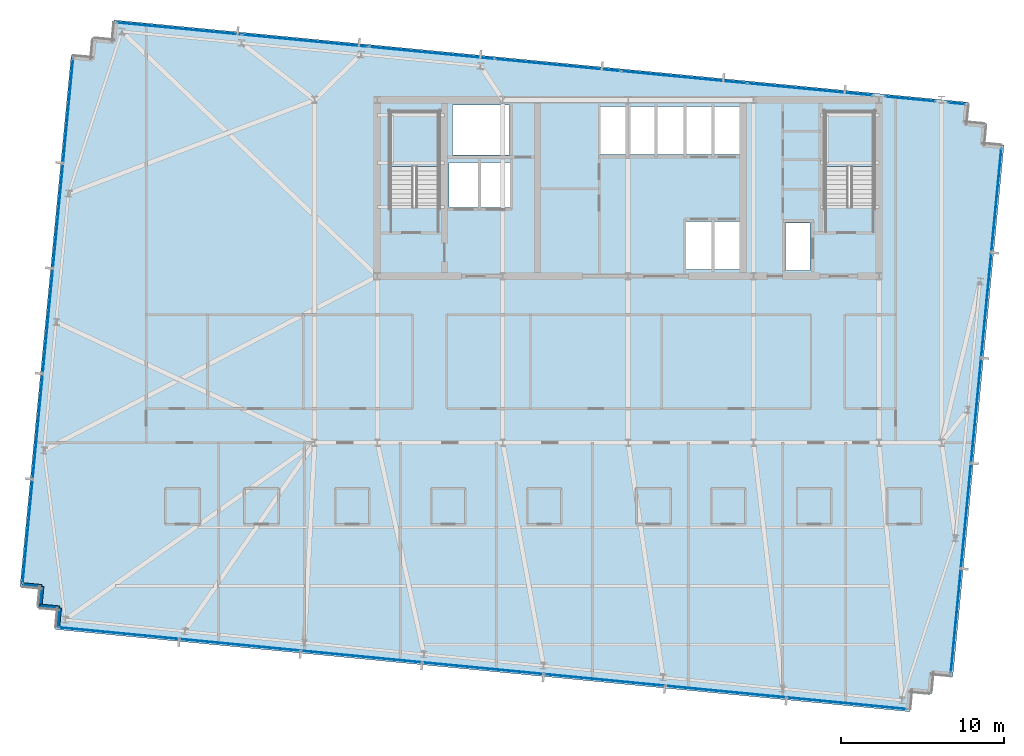
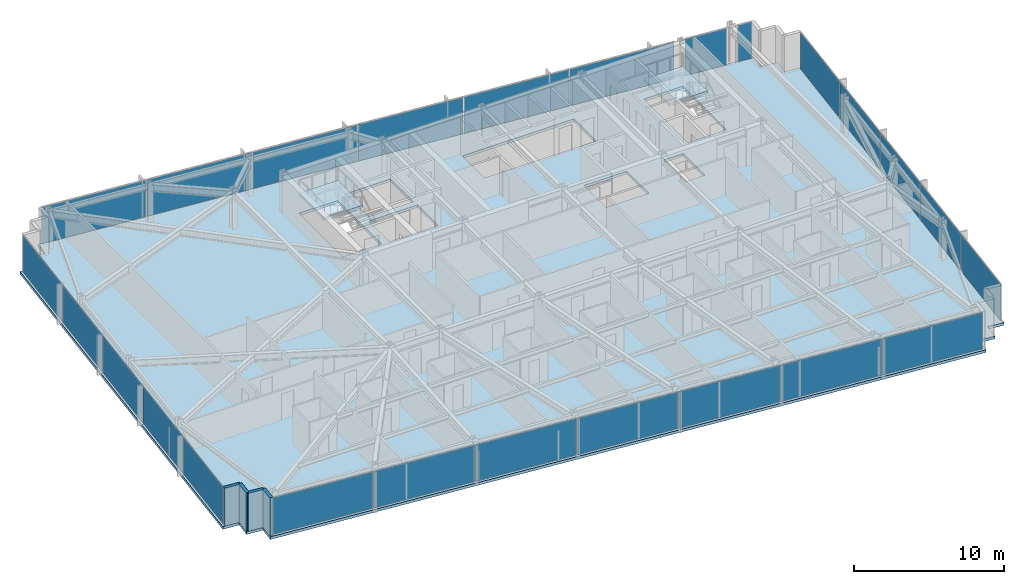
# One storey, part 28 of 37: 25 plates, 4 walls, 3 slabs, 8 elements without a shape of their own.
"""IFC4 building model written with IfcOpenShell, lengths in metres."""

from ifc_helpers import new_model, si_unit, direction, frame, frame_2d, origin, origin_2d, place, context, subcontext, project, spatial, polyline, rectangle, outline, extrude, material, layer, layer_set, type_object, element, aggregate, save


model = new_model("IFC4")

# Units and contexts
model_context = context("Model", 3, precision=1e-05, world=origin(), true_north=direction((0.0, 1.0)))
body_context = subcontext(model_context, "Body", "Model", "MODEL_VIEW")
ifc_project = project(units=[si_unit("LENGTHUNIT", "METRE"), si_unit("AREAUNIT", "SQUARE_METRE"), si_unit("VOLUMEUNIT", "CUBIC_METRE"), si_unit("PLANEANGLEUNIT", "RADIAN"), si_unit("MASSUNIT", "GRAM", prefix="KILO")], contexts=[model_context])

# Site, building, storey
site_placement = place(None, origin())
site = spatial("IfcSite", under=ifc_project, at=site_placement, CompositionType="ELEMENT")
building_placement = place(site_placement, origin())
building = spatial("IfcBuilding", under=site, at=building_placement, Name="Yelkora Congress Tower", CompositionType="ELEMENT")
storey_placement = place(building_placement, frame((0.0, 0.0, 162.199951171875)))
storey = spatial("IfcBuildingStorey", under=building, at=storey_placement, Name="L44", CompositionType="ELEMENT", Elevation=162.199951171875)

# Curtain wall, plates
ifc_material_1 = material(Name="Anodised aluminium and insulated glass", Category="aluminium")
curtain_wall_type = type_object("IfcCurtainWallType", Name="CW-SYS-B3", PredefinedType="NOTDEFINED", material=ifc_material_1)
curtain_wall_1_placement = place(storey_placement, origin())
curtain_wall_1 = element("IfcCurtainWall", 1, at=curtain_wall_1_placement, inside=storey, type_object=curtain_wall_type, Name="L44 Unitised Curtain Wall 5", PredefinedType="NOTDEFINED")
ifc_material_2 = material(Name="Acoustic laminated hotel glass unit B3", Category="glass")
ifc_layer_1 = layer(ifc_material_2, 0.0419921875)
ifc_layer_set_1 = layer_set([ifc_layer_1], Name="Acoustic laminated hotel glass unit B3")
plate_type = type_object("IfcPlateType", Name="PLT-PN-B3", PredefinedType="CURTAIN_PANEL", material=ifc_layer_set_1)
plate_1_placement = place(storey_placement, frame((1.61572265625, 19.75244140625, 0.06005859375), z_axis=(0.0, 0.0, 1.0), x_axis=(0.095845294465, 0.995396242473, 0.0)))
plate_1 = element("IfcPlate", 2, at=plate_1_placement, type_object=plate_type, Name="CW-B3 panel 1.1", PredefinedType="CURTAIN_PANEL", context=body_context, shape_type="SweptSolid", body=[
    extrude(rectangle(XDim=6.37890625, YDim=0.0419921875, at=origin_2d()), origin(), (0.0, 0.0, 1.0), 2.9599609375),
])
plate_2_placement = place(storey_placement, frame((2.235595703125, 26.189208984375, 0.06005859375), z_axis=(0.0, 0.0, 1.0), x_axis=(0.095845294465, 0.995396242473, 0.0)))
plate_2 = element("IfcPlate", 3, at=plate_2_placement, type_object=plate_type, Name="CW-B3 panel 2.1", PredefinedType="CURTAIN_PANEL", context=body_context, shape_type="SweptSolid", body=[
    extrude(rectangle(XDim=6.4140625, YDim=0.0419921875, at=origin_2d()), origin(), (0.0, 0.0, 1.0), 2.9599609375),
])
plate_3_placement = place(storey_placement, frame((2.85693359375, 32.643310546875, 0.06005859375), z_axis=(0.0, 0.0, 1.0), x_axis=(0.095845294465, 0.995396242473, 0.0)))
plate_3 = element("IfcPlate", 4, at=plate_3_placement, type_object=plate_type, Name="CW-B3 panel 3.1", PredefinedType="CURTAIN_PANEL", context=body_context, shape_type="SweptSolid", body=[
    extrude(rectangle(XDim=6.4140625, YDim=0.0419921875, at=origin_2d()), origin(), (0.0, 0.0, 1.0), 2.9599609375),
])
plate_4_placement = place(storey_placement, frame((3.478515625, 39.097412109375, 0.06005859375), z_axis=(0.0, 0.0, 1.0), x_axis=(0.095845294465, 0.995396242473, 0.0)))
plate_4 = element("IfcPlate", 5, at=plate_4_placement, type_object=plate_type, Name="CW-B3 panel 4.1", PredefinedType="CURTAIN_PANEL", context=body_context, shape_type="SweptSolid", body=[
    extrude(rectangle(XDim=6.4140625, YDim=0.0419921875, at=origin_2d()), origin(), (0.0, 0.0, 1.0), 2.9599609375),
])
plate_5_placement = place(storey_placement, frame((4.09814453125, 45.5341796875, 0.06005859375), z_axis=(0.0, 0.0, 1.0), x_axis=(0.095845294465, 0.995396242473, 0.0)))
plate_5 = element("IfcPlate", 6, at=plate_5_placement, type_object=plate_type, Name="CW-B3 panel 5.1", PredefinedType="CURTAIN_PANEL", context=body_context, shape_type="SweptSolid", body=[
    extrude(rectangle(XDim=6.37890625, YDim=0.0419921875, at=origin_2d()), origin(), (0.0, 0.0, 1.0), 2.9599609375),
])
aggregate(curtain_wall_1, [plate_1, plate_2, plate_3, plate_4, plate_5])

curtain_wall_2_placement = place(storey_placement, origin())
curtain_wall_2 = element("IfcCurtainWall", 7, at=curtain_wall_2_placement, inside=storey, type_object=curtain_wall_type, Name="L44 Unitised Curtain Wall 10 (1)", PredefinedType="NOTDEFINED")
plate_6_placement = place(storey_placement, frame((10.913818359375, 50.5634765625, 0.06005859375), z_axis=(0.0, 0.0, 1.0), x_axis=(0.995396293823, -0.095844761168, 0.0)))
plate_6 = element("IfcPlate", 8, at=plate_6_placement, type_object=plate_type, Name="CW-B3 panel 1.1", PredefinedType="CURTAIN_PANEL", context=body_context, shape_type="SweptSolid", body=[
    extrude(rectangle(XDim=7.664306640625, YDim=0.0419921875, at=origin_2d()), origin(), (0.0, 0.0, 1.0), 2.9599609375),
])
plate_7_placement = place(storey_placement, frame((18.6298828125, 49.820556640625, 0.06005859375), z_axis=(0.0, 0.0, 1.0), x_axis=(0.995396293823, -0.095844761168, 0.0)))
plate_7 = element("IfcPlate", 9, at=plate_7_placement, type_object=plate_type, Name="CW-B3 panel 2.1", PredefinedType="CURTAIN_PANEL", context=body_context, shape_type="SweptSolid", body=[
    extrude(rectangle(XDim=7.69921875, YDim=0.0419921875, at=origin_2d()), origin(), (0.0, 0.0, 1.0), 2.9599609375),
])
plate_8_placement = place(storey_placement, frame((26.363525390625, 49.075927734375, 0.06005859375), z_axis=(0.0, 0.0, 1.0), x_axis=(0.995396293823, -0.095844761168, 0.0)))
plate_8 = element("IfcPlate", 10, at=plate_8_placement, type_object=plate_type, Name="CW-B3 panel 3.1", PredefinedType="CURTAIN_PANEL", context=body_context, shape_type="SweptSolid", body=[
    extrude(rectangle(XDim=7.69921875, YDim=0.0419921875, at=origin_2d()), origin(), (0.0, 0.0, 1.0), 2.9599609375),
])
plate_9_placement = place(storey_placement, frame((34.09716796875, 48.331298828125, 0.06005859375), z_axis=(0.0, 0.0, 1.0), x_axis=(0.995396293823, -0.095844761168, 0.0)))
plate_9 = element("IfcPlate", 11, at=plate_9_placement, type_object=plate_type, Name="CW-B3 panel 4.1", PredefinedType="CURTAIN_PANEL", context=body_context, shape_type="SweptSolid", body=[
    extrude(rectangle(XDim=7.69921875, YDim=0.0419921875, at=origin_2d()), origin(), (0.0, 0.0, 1.0), 2.9599609375),
])
plate_10_placement = place(storey_placement, frame((41.83056640625, 47.586669921875, 0.06005859375), z_axis=(0.0, 0.0, 1.0), x_axis=(0.995396293823, -0.095844761168, 0.0)))
plate_10 = element("IfcPlate", 12, at=plate_10_placement, type_object=plate_type, Name="CW-B3 panel 5.1", PredefinedType="CURTAIN_PANEL", context=body_context, shape_type="SweptSolid", body=[
    extrude(rectangle(XDim=7.69921875, YDim=0.0419921875, at=origin_2d()), origin(), (0.0, 0.0, 1.0), 2.9599609375),
])
plate_11_placement = place(storey_placement, frame((49.546875, 46.84375, 0.06005859375), z_axis=(0.0, 0.0, 1.0), x_axis=(0.995396293823, -0.095844761168, 0.0)))
plate_11 = element("IfcPlate", 13, at=plate_11_placement, type_object=plate_type, Name="CW-B3 panel 6.1", PredefinedType="CURTAIN_PANEL", context=body_context, shape_type="SweptSolid", body=[
    extrude(rectangle(XDim=7.664306640625, YDim=0.0419921875, at=origin_2d()), origin(), (0.0, 0.0, 1.0), 2.9599609375),
])
aggregate(curtain_wall_2, [plate_6, plate_7, plate_8, plate_9, plate_10, plate_11])

# Curtain wall, plate
curtain_wall_3_placement = place(storey_placement, origin())
curtain_wall_3 = element("IfcCurtainWall", 14, at=curtain_wall_3_placement, inside=storey, type_object=curtain_wall_type, Name="L44 Unitised Curtain Wall 10 (2)", PredefinedType="NOTDEFINED")
plate_12_placement = place(storey_placement, frame((55.679931640625, 46.253173828125, 0.06005859375), z_axis=(0.0, 0.0, 1.0), x_axis=(0.995395952188, -0.095848309157, 0.0)))
plate_12 = element("IfcPlate", 15, at=plate_12_placement, type_object=plate_type, Name="CW-B3 panel 1.1", PredefinedType="CURTAIN_PANEL", context=body_context, shape_type="SweptSolid", body=[
    extrude(rectangle(XDim=3.056640625, YDim=0.0419921875, at=origin_2d()), origin(), (0.0, 0.0, 1.0), 2.9599609375),
])
aggregate(curtain_wall_3, [plate_12])

curtain_wall_4_placement = place(storey_placement, origin())
curtain_wall_4 = element("IfcCurtainWall", 16, at=curtain_wall_4_placement, inside=storey, type_object=curtain_wall_type, Name="L44 Unitised Curtain Wall 10 (3)", PredefinedType="NOTDEFINED")
plate_13_placement = place(storey_placement, frame((58.518798828125, 45.979736328125, 0.06005859375), z_axis=(0.0, 0.0, 1.0), x_axis=(0.995395569658, -0.095852281686, 0.0)))
plate_13 = element("IfcPlate", 17, at=plate_13_placement, type_object=plate_type, Name="CW-B3 panel 1.1", PredefinedType="CURTAIN_PANEL", context=body_context, shape_type="SweptSolid", body=[
    extrude(rectangle(XDim=1.045166015625, YDim=0.0419921875, at=origin_2d()), origin(), (0.0, 0.0, 1.0), 2.9599609375),
])
aggregate(curtain_wall_4, [plate_13])

# Curtain wall, plates
curtain_wall_5_placement = place(storey_placement, origin())
curtain_wall_5 = element("IfcCurtainWall", 18, at=curtain_wall_5_placement, inside=storey, type_object=curtain_wall_type, Name="L44 Unitised Curtain Wall 15", PredefinedType="NOTDEFINED")
plate_14_placement = place(storey_placement, frame((60.955322265625, 40.0595703125, 0.06005859375), z_axis=(0.0, 0.0, 1.0), x_axis=(-0.095841944023, -0.995396565076, 0.0)))
plate_14 = element("IfcPlate", 19, at=plate_14_placement, type_object=plate_type, Name="CW-B3 panel 1.1", PredefinedType="CURTAIN_PANEL", context=body_context, shape_type="SweptSolid", body=[
    extrude(rectangle(XDim=6.37890625, YDim=0.0419921875, at=origin_2d()), origin(), (0.0, 0.0, 1.0), 2.9599609375),
])
plate_15_placement = place(storey_placement, frame((60.33544921875, 33.622802734375, 0.06005859375), z_axis=(0.0, 0.0, 1.0), x_axis=(-0.095841944023, -0.995396565076, 0.0)))
plate_15 = element("IfcPlate", 20, at=plate_15_placement, type_object=plate_type, Name="CW-B3 panel 2.1", PredefinedType="CURTAIN_PANEL", context=body_context, shape_type="SweptSolid", body=[
    extrude(rectangle(XDim=6.4140625, YDim=0.0419921875, at=origin_2d()), origin(), (0.0, 0.0, 1.0), 2.9599609375),
])
plate_16_placement = place(storey_placement, frame((59.714111328125, 27.168701171875, 0.06005859375), z_axis=(0.0, 0.0, 1.0), x_axis=(-0.095841944023, -0.995396565076, 0.0)))
plate_16 = element("IfcPlate", 21, at=plate_16_placement, type_object=plate_type, Name="CW-B3 panel 3.1", PredefinedType="CURTAIN_PANEL", context=body_context, shape_type="SweptSolid", body=[
    extrude(rectangle(XDim=6.4140625, YDim=0.0419921875, at=origin_2d()), origin(), (0.0, 0.0, 1.0), 2.9599609375),
])
plate_17_placement = place(storey_placement, frame((59.092529296875, 20.71435546875, 0.06005859375), z_axis=(0.0, 0.0, 1.0), x_axis=(-0.095841944023, -0.995396565076, 0.0)))
plate_17 = element("IfcPlate", 22, at=plate_17_placement, type_object=plate_type, Name="CW-B3 panel 4.1", PredefinedType="CURTAIN_PANEL", context=body_context, shape_type="SweptSolid", body=[
    extrude(rectangle(XDim=6.4140625, YDim=0.0419921875, at=origin_2d()), origin(), (0.0, 0.0, 1.0), 2.9599609375),
])
plate_18_placement = place(storey_placement, frame((58.472900390625, 14.277587890625, 0.06005859375), z_axis=(0.0, 0.0, 1.0), x_axis=(-0.095841944023, -0.995396565076, 0.0)))
plate_18 = element("IfcPlate", 23, at=plate_18_placement, type_object=plate_type, Name="CW-B3 panel 5.1", PredefinedType="CURTAIN_PANEL", context=body_context, shape_type="SweptSolid", body=[
    extrude(rectangle(XDim=6.37890625, YDim=0.0419921875, at=origin_2d()), origin(), (0.0, 0.0, 1.0), 2.9599609375),
])
aggregate(curtain_wall_5, [plate_14, plate_15, plate_16, plate_17, plate_18])

curtain_wall_6_placement = place(storey_placement, origin())
curtain_wall_6 = element("IfcCurtainWall", 24, at=curtain_wall_6_placement, inside=storey, type_object=curtain_wall_type, Name="L44 Unitised Curtain Wall 20", PredefinedType="NOTDEFINED")
plate_19_placement = place(storey_placement, frame((51.803955078125, 9.234130859375, 0.06005859375), z_axis=(0.0, 0.0, 1.0), x_axis=(-0.995396301573, 0.095844680679, 0.0)))
plate_19 = element("IfcPlate", 25, at=plate_19_placement, type_object=plate_type, Name="CW-B3 panel 1.1", PredefinedType="CURTAIN_PANEL", context=body_context, shape_type="SweptSolid", body=[
    extrude(rectangle(XDim=7.369384765625, YDim=0.0419921875, at=origin_2d()), origin(), (0.0, 0.0, 1.0), 2.9599609375),
])
plate_20_placement = place(storey_placement, frame((44.381591796875, 9.948974609375, 0.06005859375), z_axis=(0.0, 0.0, 1.0), x_axis=(-0.995396301573, 0.095844680679, 0.0)))
plate_20 = element("IfcPlate", 26, at=plate_20_placement, type_object=plate_type, Name="CW-B3 panel 2.1", PredefinedType="CURTAIN_PANEL", context=body_context, shape_type="SweptSolid", body=[
    extrude(rectangle(XDim=7.404296875, YDim=0.0419921875, at=origin_2d()), origin(), (0.0, 0.0, 1.0), 2.9599609375),
])
plate_21_placement = place(storey_placement, frame((36.941650390625, 10.665283203125, 0.06005859375), z_axis=(0.0, 0.0, 1.0), x_axis=(-0.995396301573, 0.095844680679, 0.0)))
plate_21 = element("IfcPlate", 27, at=plate_21_placement, type_object=plate_type, Name="CW-B3 panel 3.1", PredefinedType="CURTAIN_PANEL", context=body_context, shape_type="SweptSolid", body=[
    extrude(rectangle(XDim=7.404296875, YDim=0.0419921875, at=origin_2d()), origin(), (0.0, 0.0, 1.0), 2.9599609375),
])
plate_22_placement = place(storey_placement, frame((29.501708984375, 11.381591796875, 0.06005859375), z_axis=(0.0, 0.0, 1.0), x_axis=(-0.995396301573, 0.095844680679, 0.0)))
plate_22 = element("IfcPlate", 28, at=plate_22_placement, type_object=plate_type, Name="CW-B3 panel 4.1", PredefinedType="CURTAIN_PANEL", context=body_context, shape_type="SweptSolid", body=[
    extrude(rectangle(XDim=7.404296875, YDim=0.0419921875, at=origin_2d()), origin(), (0.0, 0.0, 1.0), 2.9599609375),
])
plate_23_placement = place(storey_placement, frame((22.06201171875, 12.097900390625, 0.06005859375), z_axis=(0.0, 0.0, 1.0), x_axis=(-0.995396301573, 0.095844680679, 0.0)))
plate_23 = element("IfcPlate", 29, at=plate_23_placement, type_object=plate_type, Name="CW-B3 panel 5.1", PredefinedType="CURTAIN_PANEL", context=body_context, shape_type="SweptSolid", body=[
    extrude(rectangle(XDim=7.404296875, YDim=0.0419921875, at=origin_2d()), origin(), (0.0, 0.0, 1.0), 2.9599609375),
])
plate_24_placement = place(storey_placement, frame((14.6220703125, 12.814453125, 0.06005859375), z_axis=(0.0, 0.0, 1.0), x_axis=(-0.995396301573, 0.095844680679, 0.0)))
plate_24 = element("IfcPlate", 30, at=plate_24_placement, type_object=plate_type, Name="CW-B3 panel 6.1", PredefinedType="CURTAIN_PANEL", context=body_context, shape_type="SweptSolid", body=[
    extrude(rectangle(XDim=7.404296875, YDim=0.0419921875, at=origin_2d()), origin(), (0.0, 0.0, 1.0), 2.9599609375),
])
plate_25_placement = place(storey_placement, frame((7.199462890625, 13.529052734375, 0.06005859375), z_axis=(0.0, 0.0, 1.0), x_axis=(-0.995396301573, 0.095844680679, 0.0)))
plate_25 = element("IfcPlate", 31, at=plate_25_placement, type_object=plate_type, Name="CW-B3 panel 7.1", PredefinedType="CURTAIN_PANEL", context=body_context, shape_type="SweptSolid", body=[
    extrude(rectangle(XDim=7.369384765625, YDim=0.0419921875, at=origin_2d()), origin(), (0.0, 0.0, 1.0), 2.9599609375),
])
aggregate(curtain_wall_6, [plate_19, plate_20, plate_21, plate_22, plate_23, plate_24, plate_25])

# Stair, slab
ifc_material_3 = material(Name="Concrete C40/50", Category="concrete")
stair_type = type_object("IfcStairType", Name="STAIR-HT-1420-R20-165", PredefinedType="HALF_TURN_STAIR", material=ifc_material_3)
stair_1_placement = place(storey_placement, origin())
stair_1 = element("IfcStair", 32, at=stair_1_placement, inside=storey, type_object=stair_type, Name="West Core Protected Exit Stair ST-01 (L44)", PredefinedType="HALF_TURN_STAIR")
ifc_layer_2 = layer(ifc_material_3, 0.219970703125)
ifc_layer_set_2 = layer_set([ifc_layer_2], Name="Concrete C40/50")
slab_type_1 = type_object("IfcSlabType", Name="SLAB-LANDING-220", PredefinedType="LANDING", material=ifc_layer_set_2)
slab_1_placement = place(storey_placement, frame((0.0, 0.0, 1.429931640625)))
slab_1 = element("IfcSlab", 33, at=slab_1_placement, type_object=slab_type_1, Name="ST-01 L44 Half Landing 1", PredefinedType="LANDING", context=body_context, shape_type="SweptSolid", body=[
    extrude(outline(polyline([(26.820068359375, 42.1201171875), (26.820068359375, 45.469970703125), (23.820068359375, 45.469970703125), (23.820068359375, 42.1201171875), (26.820068359375, 42.1201171875)])), origin(), (0.0, 0.0, 1.0), 0.22021484375),
])
aggregate(stair_1, [slab_1])

stair_2_placement = place(storey_placement, origin())
stair_2 = element("IfcStair", 34, at=stair_2_placement, inside=storey, type_object=stair_type, Name="East Core Protected Exit Stair ST-02 (L44)", PredefinedType="HALF_TURN_STAIR")
slab_2_placement = place(storey_placement, frame((0.0, 0.0, 1.429931640625)))
slab_2 = element("IfcSlab", 35, at=slab_2_placement, type_object=slab_type_1, Name="ST-02 L44 Half Landing 1", PredefinedType="LANDING", context=body_context, shape_type="SweptSolid", body=[
    extrude(outline(polyline([(53.4599609375, 42.1201171875), (53.4599609375, 45.469970703125), (50.4599609375, 45.469970703125), (50.4599609375, 42.1201171875), (53.4599609375, 42.1201171875)])), origin(), (0.0, 0.0, 1.0), 0.22021484375),
])
aggregate(stair_2, [slab_2])

# Slab
ifc_layer_3 = layer(ifc_material_3, 0.219970703125)
ifc_layer_set_3 = layer_set([ifc_layer_3], Name="Concrete C40/50")
slab_type_2 = type_object("IfcSlabType", Name="SLAB-TWR-220", PredefinedType="FLOOR", material=ifc_layer_set_3)
slab_3_placement = place(storey_placement, frame((0.0, 0.0, -0.219970703125)))
element("IfcSlab", 36, at=slab_3_placement, inside=storey, type_object=slab_type_2, Name="L44 Structural Floor Slab", PredefinedType="FLOOR", context=body_context, shape_type="SweptSolid", body=[
    extrude(outline(polyline([(3.309326171875, 13.762939453125), (55.667236328125, 8.721435546875), (55.7822265625, 9.916015625), (56.976806640625, 9.801025390625), (57.091796875, 10.99560546875), (58.286376953125, 10.88037109375), (61.42041015625, 43.429931640625), (60.225830078125, 43.544921875), (60.341064453125, 44.739501953125), (59.146484375, 44.8544921875), (59.261474609375, 46.048828125), (6.90380859375, 51.09033203125), (6.78857421875, 49.89599609375), (5.59423828125, 50.010986328125), (5.479248046875, 48.81640625), (4.28466796875, 48.931396484375), (1.150390625, 16.382080078125), (2.344970703125, 16.26708984375), (2.22998046875, 15.072509765625), (3.424560546875, 14.95751953125), (3.309326171875, 13.762939453125)]), holes=[polyline([(23.820068359375, 39.6298828125), (26.820068359375, 39.6298828125), (26.820068359375, 45.469970703125), (23.820068359375, 45.469970703125), (23.820068359375, 39.6298828125)]), polyline([(50.4599609375, 39.6298828125), (53.4599609375, 39.6298828125), (53.4599609375, 45.469970703125), (50.4599609375, 45.469970703125), (50.4599609375, 39.6298828125)]), polyline([(48.050048828125, 35.75), (49.550048828125, 35.75), (49.550048828125, 38.64990234375), (48.050048828125, 38.64990234375), (48.050048828125, 35.75)]), polyline([(36.64990234375, 42.85009765625), (45.25, 42.85009765625), (45.25, 45.800048828125), (36.64990234375, 45.800048828125), (36.64990234375, 42.85009765625)]), polyline([(41.949951171875, 35.800048828125), (45.25, 35.800048828125), (45.25, 38.75), (41.949951171875, 38.75), (41.949951171875, 35.800048828125)]), polyline([(27.419921875, 39.60009765625), (31.179931640625, 39.60009765625), (31.179931640625, 42.35009765625), (27.419921875, 42.35009765625), (27.419921875, 39.60009765625)]), polyline([(27.64990234375, 42.820068359375), (31.1201171875, 42.820068359375), (31.1201171875, 45.8798828125), (27.64990234375, 45.8798828125), (27.64990234375, 42.820068359375)])]), origin(), (0.0, 0.0, 1.0), 0.219970703125),
])

# Walls
ifc_layer_4 = layer(ifc_material_3, 0.239990234375)
ifc_layer_set_4 = layer_set([ifc_layer_4], Name="Concrete C40/50")
wall_type = type_object("IfcWallType", Name="WALL-EXT-LIMESTONE-240", PredefinedType="SOLIDWALL", material=ifc_layer_set_4)
for number, where, z_axis, x_axis, name in (
    (37, (3.462158203125, 13.888916015625, 0.0), (0.0, 0.0, 1.0), (0.096018626938, 0.995379537303, 0.0), "L44 Serrated Corner Limestone Pier 1"),
    (38, (3.577392578125, 15.08349609375, 0.0), (0.0, 0.0, 1.0), (-0.995398960025, 0.095817067274, 0.0), "L44 Serrated Corner Limestone Pier 2"),
):
    element("IfcWall", number, at=place(storey_placement, frame(where, z_axis=z_axis, x_axis=x_axis)), inside=storey, type_object=wall_type, Name=name, PredefinedType="SOLIDWALL", context=body_context, shape_type="SweptSolid", body=[
        extrude(rectangle(XDim=1.2001953125, YDim=0.239990234375, at=frame_2d((0.60009765625, 0.0))), origin(), (0.0, 0.0, 1.0), 3.080078125),
    ])
wall_1_placement = place(storey_placement, frame((2.3828125, 15.198486328125, 0.0), z_axis=(0.0, 0.0, 1.0), x_axis=(0.095836473879, 0.995397091755, 0.0)))
element("IfcWall", 39, at=wall_1_placement, inside=storey, type_object=wall_type, Name="L44 Serrated Corner Limestone Pier 3", PredefinedType="SOLIDWALL", context=body_context, shape_type="SweptSolid", body=[
    extrude(rectangle(XDim=1.199951171875, YDim=0.239990234375, at=frame_2d((0.60009765625, 0.0))), origin(), (0.0, 0.0, 1.0), 3.080078125),
])
wall_2_placement = place(storey_placement, frame((2.497802734375, 16.392822265625, 0.0), z_axis=(0.0, 0.0, 1.0), x_axis=(-0.995398960025, 0.095817067274, 0.0)))
element("IfcWall", 40, at=wall_2_placement, inside=storey, type_object=wall_type, Name="L44 Serrated Corner Limestone Pier 4", PredefinedType="SOLIDWALL", context=body_context, shape_type="SweptSolid", body=[
    extrude(rectangle(XDim=1.2001953125, YDim=0.239990234375, at=frame_2d((0.60009765625, 0.0))), origin(), (0.0, 0.0, 1.0), 3.080078125),
])

save(model, "model.ifc")
